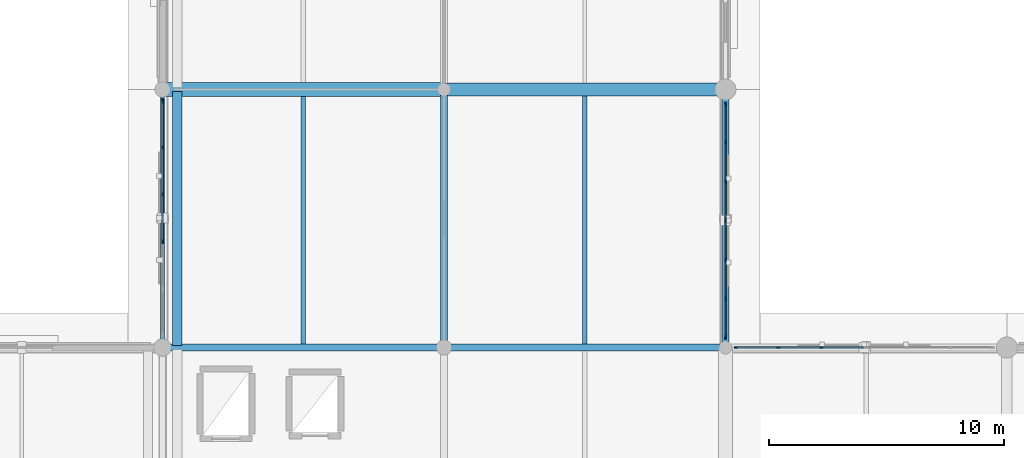
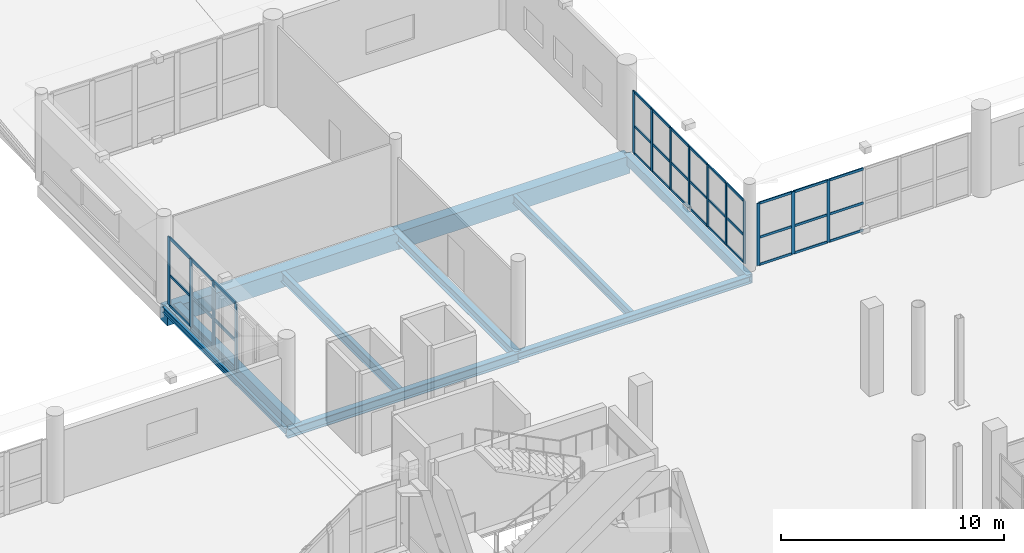
# One storey, part 44 of 143: 50 members, 10 beams, 3 elements without a shape of their own.
"""IFC4 building model written with IfcOpenShell, lengths in metres."""

from ifc_helpers import new_model, si_unit, direction, frame, origin, origin_2d, place, context, subcontext, project, spatial, rectangle, hollow_rectangle, i_section, extrude, material, material_profile, profile_set, type_object, element, aggregate, save


model = new_model("IFC4")

# Units and contexts
model_context = context("Model", 3, precision=1e-05, world=origin(), true_north=direction((0.0, 1.0)))
body_context = subcontext(model_context, "Body", "Model", "MODEL_VIEW")
ifc_project = project(units=[si_unit("LENGTHUNIT", "METRE"), si_unit("AREAUNIT", "SQUARE_METRE"), si_unit("VOLUMEUNIT", "CUBIC_METRE"), si_unit("PLANEANGLEUNIT", "RADIAN"), si_unit("MASSUNIT", "GRAM", prefix="KILO")], contexts=[model_context])

# Site, building, storey
site_placement = place(None, origin())
site = spatial("IfcSite", under=ifc_project, at=site_placement, CompositionType="ELEMENT")
building_placement = place(site_placement, origin())
building = spatial("IfcBuilding", under=site, at=building_placement, Name="Luwafu Chhajja Arena", CompositionType="ELEMENT")
storey_placement = place(building_placement, frame((0.0, 0.0, 5.39990234375)))
storey = spatial("IfcBuildingStorey", under=building, at=storey_placement, Name="L01", CompositionType="ELEMENT", Elevation=5.39990234375)

# Curtain wall, members
ifc_material_1 = material(Name="Anodised bronze aluminium", Category="aluminium")
curtain_wall_type_1 = type_object("IfcCurtainWallType", Name="Charbagh Cloister Curtain Wall", PredefinedType="USERDEFINED", material=ifc_material_1)
curtain_wall_1_placement = place(storey_placement, origin())
curtain_wall_1 = element("IfcCurtainWall", 1, at=curtain_wall_1_placement, inside=storey, type_object=curtain_wall_type_1, Name="L01 Curtain Wall CWG-L01-V05_09", ObjectType="CURTAIN WALL", PredefinedType="USERDEFINED")
ifc_material_profile_1 = material_profile(ifc_material_1, rectangle(XDim=0.06005859375, YDim=0.159912109375, at=origin_2d()), Name="CWM 60x160")
ifc_profile_set_1 = profile_set([ifc_material_profile_1], Name="Anodised bronze aluminium")
member_type_1 = type_object("IfcMemberType", Name="Bronze Curtain Wall Mullion 60x160", PredefinedType="MULLION", material=ifc_profile_set_1)
member_1_placement = place(storey_placement, frame((58.0, 99.445068359375, 0.030029296875), z_axis=(0.0, 0.0, 1.0), x_axis=(-1.0, 0.0, 0.0)))
member_1 = element("IfcMember", 2, at=member_1_placement, type_object=member_type_1, Name="CW-06 mullion 1", PredefinedType="MULLION", context=body_context, shape_type="SweptSolid", body=[
    extrude(rectangle(XDim=0.06005859375, YDim=0.159912109375, at=origin_2d()), origin(), (0.0, 0.0, 1.0), 3.41015625),
])
member_2_placement = place(storey_placement, frame((58.0, 101.080810546875, 0.030029296875), z_axis=(0.0, 0.0, 1.0), x_axis=(-1.0, 0.0, 0.0)))
member_2 = element("IfcMember", 3, at=member_2_placement, type_object=member_type_1, Name="CW-06 mullion 2", PredefinedType="MULLION", context=body_context, shape_type="SweptSolid", body=[
    extrude(rectangle(XDim=0.06005859375, YDim=0.159912109375, at=origin_2d()), origin(), (0.0, 0.0, 1.0), 3.41015625),
])
member_3_placement = place(storey_placement, frame((58.0, 102.74658203125, 0.030029296875), z_axis=(0.0, 0.0, 1.0), x_axis=(-1.0, 0.0, 0.0)))
member_3 = element("IfcMember", 4, at=member_3_placement, type_object=member_type_1, Name="CW-06 mullion 3", PredefinedType="MULLION", context=body_context, shape_type="SweptSolid", body=[
    extrude(rectangle(XDim=0.06005859375, YDim=0.159912109375, at=origin_2d()), origin(), (0.0, 0.0, 1.0), 3.41015625),
])
member_4_placement = place(storey_placement, frame((58.0, 104.41259765625, 0.030029296875), z_axis=(0.0, 0.0, 1.0), x_axis=(-1.0, 0.0, 0.0)))
member_4 = element("IfcMember", 5, at=member_4_placement, type_object=member_type_1, Name="CW-06 mullion 4", PredefinedType="MULLION", context=body_context, shape_type="SweptSolid", body=[
    extrude(rectangle(XDim=0.06005859375, YDim=0.159912109375, at=origin_2d()), origin(), (0.0, 0.0, 1.0), 3.41015625),
])
member_5_placement = place(storey_placement, frame((58.0, 106.078369140625, 0.030029296875), z_axis=(0.0, 0.0, 1.0), x_axis=(-1.0, 0.0, 0.0)))
member_5 = element("IfcMember", 6, at=member_5_placement, type_object=member_type_1, Name="CW-06 mullion 5", PredefinedType="MULLION", context=body_context, shape_type="SweptSolid", body=[
    extrude(rectangle(XDim=0.06005859375, YDim=0.159912109375, at=origin_2d()), origin(), (0.0, 0.0, 1.0), 3.41015625),
])
member_6_placement = place(storey_placement, frame((58.0, 107.744140625, 0.030029296875), z_axis=(0.0, 0.0, 1.0), x_axis=(-1.0, 0.0, 0.0)))
member_6 = element("IfcMember", 7, at=member_6_placement, type_object=member_type_1, Name="CW-06 mullion 6", PredefinedType="MULLION", context=body_context, shape_type="SweptSolid", body=[
    extrude(rectangle(XDim=0.06005859375, YDim=0.159912109375, at=origin_2d()), origin(), (0.0, 0.0, 1.0), 3.41015625),
])
member_7_placement = place(storey_placement, frame((58.0, 109.3798828125, 0.030029296875), z_axis=(0.0, 0.0, 1.0), x_axis=(-1.0, 0.0, 0.0)))
member_7 = element("IfcMember", 8, at=member_7_placement, type_object=member_type_1, Name="CW-06 mullion 7", PredefinedType="MULLION", context=body_context, shape_type="SweptSolid", body=[
    extrude(rectangle(XDim=0.06005859375, YDim=0.159912109375, at=origin_2d()), origin(), (0.0, 0.0, 1.0), 3.41015625),
])

curtain_wall_2_placement = place(storey_placement, origin())
curtain_wall_2 = element("IfcCurtainWall", 9, at=curtain_wall_2_placement, inside=storey, type_object=curtain_wall_type_1, Name="L01 Curtain Wall CWG-L01-H05_09", ObjectType="CURTAIN WALL", PredefinedType="USERDEFINED")
member_8_placement = place(storey_placement, frame((58.445068359375, 99.0, 0.030029296875), z_axis=(0.0, 0.0, 1.0), x_axis=(0.0, 1.0, 0.0)))
member_8 = element("IfcMember", 10, at=member_8_placement, type_object=member_type_1, Name="CW-06 mullion 1", PredefinedType="MULLION", context=body_context, shape_type="SweptSolid", body=[
    extrude(rectangle(XDim=0.06005859375, YDim=0.159912109375, at=origin_2d()), origin(), (0.0, 0.0, 1.0), 3.41015625),
])
member_9_placement = place(storey_placement, frame((60.24755859375, 99.0, 0.030029296875), z_axis=(0.0, 0.0, 1.0), x_axis=(0.0, 1.0, 0.0)))
member_9 = element("IfcMember", 11, at=member_9_placement, type_object=member_type_1, Name="CW-06 mullion 2", PredefinedType="MULLION", context=body_context, shape_type="SweptSolid", body=[
    extrude(rectangle(XDim=0.06005859375, YDim=0.159912109375, at=origin_2d()), origin(), (0.0, 0.0, 1.0), 3.41015625),
])
member_10_placement = place(storey_placement, frame((62.080078125, 99.0, 0.030029296875), z_axis=(0.0, 0.0, 1.0), x_axis=(0.0, 1.0, 0.0)))
member_10 = element("IfcMember", 12, at=member_10_placement, type_object=member_type_1, Name="CW-06 mullion 3", PredefinedType="MULLION", context=body_context, shape_type="SweptSolid", body=[
    extrude(rectangle(XDim=0.06005859375, YDim=0.159912109375, at=origin_2d()), origin(), (0.0, 0.0, 1.0), 3.41015625),
])

curtain_wall_type_2 = type_object("IfcCurtainWallType", Name="VIP Club Terrace Curtain Wall", PredefinedType="USERDEFINED", material=ifc_material_1)
curtain_wall_3_placement = place(storey_placement, origin())
curtain_wall_3 = element("IfcCurtainWall", 13, at=curtain_wall_3_placement, inside=storey, type_object=curtain_wall_type_2, Name="L01 Curtain Wall CWG-L01-V03_09", ObjectType="CURTAIN WALL", PredefinedType="USERDEFINED")
ifc_material_profile_2 = material_profile(ifc_material_1, rectangle(XDim=0.06494140625, YDim=0.199951171875, at=origin_2d()), Name="CWM 65x200")
ifc_profile_set_2 = profile_set([ifc_material_profile_2], Name="Anodised bronze aluminium")
member_type_2 = type_object("IfcMemberType", Name="Bronze Curtain Wall Mullion 65x200", PredefinedType="MULLION", material=ifc_profile_set_2)
member_11_placement = place(storey_placement, frame((34.0, 103.52294921875, 0.030029296875), z_axis=(0.0, 0.0, 1.0), x_axis=(-1.0, 0.0, 0.0)))
member_11 = element("IfcMember", 14, at=member_11_placement, type_object=member_type_2, Name="CW-10 mullion 3", PredefinedType="MULLION", context=body_context, shape_type="SweptSolid", body=[
    extrude(rectangle(XDim=0.06494140625, YDim=0.199951171875, at=origin_2d()), origin(), (0.0, 0.0, 1.0), 3.739990234375),
])
member_12_placement = place(storey_placement, frame((34.0, 105.527099609375, 0.030029296875), z_axis=(0.0, 0.0, 1.0), x_axis=(-1.0, 0.0, 0.0)))
member_12 = element("IfcMember", 15, at=member_12_placement, type_object=member_type_2, Name="CW-10 mullion 4", PredefinedType="MULLION", context=body_context, shape_type="SweptSolid", body=[
    extrude(rectangle(XDim=0.06494140625, YDim=0.199951171875, at=origin_2d()), origin(), (0.0, 0.0, 1.0), 3.739990234375),
])
member_13_placement = place(storey_placement, frame((34.0, 107.531005859375, 0.030029296875), z_axis=(0.0, 0.0, 1.0), x_axis=(-1.0, 0.0, 0.0)))
member_13 = element("IfcMember", 16, at=member_13_placement, type_object=member_type_2, Name="CW-10 mullion 5", PredefinedType="MULLION", context=body_context, shape_type="SweptSolid", body=[
    extrude(rectangle(XDim=0.06494140625, YDim=0.199951171875, at=origin_2d()), origin(), (0.0, 0.0, 1.0), 3.739990234375),
])
member_14_placement = place(storey_placement, frame((34.0, 109.50244140625, 0.030029296875), z_axis=(0.0, 0.0, 1.0), x_axis=(-1.0, 0.0, 0.0)))
member_14 = element("IfcMember", 17, at=member_14_placement, type_object=member_type_2, Name="CW-10 mullion 6", PredefinedType="MULLION", context=body_context, shape_type="SweptSolid", body=[
    extrude(rectangle(XDim=0.06494140625, YDim=0.199951171875, at=origin_2d()), origin(), (0.0, 0.0, 1.0), 3.739990234375),
])

# Member
ifc_material_profile_3 = material_profile(ifc_material_1, rectangle(XDim=0.06005859375, YDim=0.1298828125, at=origin_2d()), Name="CWT 60x130")
ifc_profile_set_3 = profile_set([ifc_material_profile_3], Name="Anodised bronze aluminium")
member_type_3 = type_object("IfcMemberType", Name="Bronze Curtain Wall Transom 60x130", PredefinedType="USERDEFINED", material=ifc_profile_set_3)
member_15_placement = place(storey_placement, frame((58.0, 99.47509765625, 0.06005859375), z_axis=(0.0, 1.0, 0.0), x_axis=(-1.0, 0.0, 0.0)))
member_15 = element("IfcMember", 18, at=member_15_placement, type_object=member_type_3, Name="CW-06 transom 1.1", ObjectType="TRANSOM", PredefinedType="USERDEFINED", context=body_context, shape_type="SweptSolid", body=[
    extrude(rectangle(XDim=0.06005859375, YDim=0.1298828125, at=origin_2d()), origin(), (0.0, 0.0, 1.0), 1.57568359375),
])

member_16_placement = place(storey_placement, frame((58.0, 99.47509765625, 1.548095703125), z_axis=(0.0, 1.0, 0.0), x_axis=(-1.0, 0.0, 0.0)))
member_16 = element("IfcMember", 19, at=member_16_placement, type_object=member_type_3, Name="CW-06 transom 1.2", ObjectType="TRANSOM", PredefinedType="USERDEFINED", context=body_context, shape_type="SweptSolid", body=[
    extrude(rectangle(XDim=0.06005859375, YDim=0.1298828125, at=origin_2d()), origin(), (0.0, 0.0, 1.0), 1.57568359375),
])

member_17_placement = place(storey_placement, frame((58.0, 99.47509765625, 3.41015625), z_axis=(0.0, 1.0, 0.0), x_axis=(-1.0, 0.0, 0.0)))
member_17 = element("IfcMember", 20, at=member_17_placement, type_object=member_type_3, Name="CW-06 transom 1.3", ObjectType="TRANSOM", PredefinedType="USERDEFINED", context=body_context, shape_type="SweptSolid", body=[
    extrude(rectangle(XDim=0.06005859375, YDim=0.1298828125, at=origin_2d()), origin(), (0.0, 0.0, 1.0), 1.57568359375),
])

member_18_placement = place(storey_placement, frame((58.0, 101.11083984375, 0.06005859375), z_axis=(0.0, 1.0, 0.0), x_axis=(-1.0, 0.0, 0.0)))
member_18 = element("IfcMember", 21, at=member_18_placement, type_object=member_type_3, Name="CW-06 transom 2.1", ObjectType="TRANSOM", PredefinedType="USERDEFINED", context=body_context, shape_type="SweptSolid", body=[
    extrude(rectangle(XDim=0.06005859375, YDim=0.1298828125, at=origin_2d()), origin(), (0.0, 0.0, 1.0), 1.605712890625),
])

member_19_placement = place(storey_placement, frame((58.0, 101.11083984375, 1.548095703125), z_axis=(0.0, 1.0, 0.0), x_axis=(-1.0, 0.0, 0.0)))
member_19 = element("IfcMember", 22, at=member_19_placement, type_object=member_type_3, Name="CW-06 transom 2.2", ObjectType="TRANSOM", PredefinedType="USERDEFINED", context=body_context, shape_type="SweptSolid", body=[
    extrude(rectangle(XDim=0.06005859375, YDim=0.1298828125, at=origin_2d()), origin(), (0.0, 0.0, 1.0), 1.605712890625),
])

member_20_placement = place(storey_placement, frame((58.0, 101.11083984375, 3.41015625), z_axis=(0.0, 1.0, 0.0), x_axis=(-1.0, 0.0, 0.0)))
member_20 = element("IfcMember", 23, at=member_20_placement, type_object=member_type_3, Name="CW-06 transom 2.3", ObjectType="TRANSOM", PredefinedType="USERDEFINED", context=body_context, shape_type="SweptSolid", body=[
    extrude(rectangle(XDim=0.06005859375, YDim=0.1298828125, at=origin_2d()), origin(), (0.0, 0.0, 1.0), 1.605712890625),
])

member_21_placement = place(storey_placement, frame((58.0, 102.776611328125, 0.06005859375), z_axis=(0.0, 1.0, 0.0), x_axis=(-1.0, 0.0, 0.0)))
member_21 = element("IfcMember", 24, at=member_21_placement, type_object=member_type_3, Name="CW-06 transom 3.1", ObjectType="TRANSOM", PredefinedType="USERDEFINED", context=body_context, shape_type="SweptSolid", body=[
    extrude(rectangle(XDim=0.06005859375, YDim=0.1298828125, at=origin_2d()), origin(), (0.0, 0.0, 1.0), 1.60595703125),
])

member_22_placement = place(storey_placement, frame((58.0, 102.776611328125, 1.548095703125), z_axis=(0.0, 1.0, 0.0), x_axis=(-1.0, 0.0, 0.0)))
member_22 = element("IfcMember", 25, at=member_22_placement, type_object=member_type_3, Name="CW-06 transom 3.2", ObjectType="TRANSOM", PredefinedType="USERDEFINED", context=body_context, shape_type="SweptSolid", body=[
    extrude(rectangle(XDim=0.06005859375, YDim=0.1298828125, at=origin_2d()), origin(), (0.0, 0.0, 1.0), 1.60595703125),
])

member_23_placement = place(storey_placement, frame((58.0, 102.776611328125, 3.41015625), z_axis=(0.0, 1.0, 0.0), x_axis=(-1.0, 0.0, 0.0)))
member_23 = element("IfcMember", 26, at=member_23_placement, type_object=member_type_3, Name="CW-06 transom 3.3", ObjectType="TRANSOM", PredefinedType="USERDEFINED", context=body_context, shape_type="SweptSolid", body=[
    extrude(rectangle(XDim=0.06005859375, YDim=0.1298828125, at=origin_2d()), origin(), (0.0, 0.0, 1.0), 1.60595703125),
])

member_24_placement = place(storey_placement, frame((58.0, 104.4423828125, 0.06005859375), z_axis=(0.0, 1.0, 0.0), x_axis=(-1.0, 0.0, 0.0)))
member_24 = element("IfcMember", 27, at=member_24_placement, type_object=member_type_3, Name="CW-06 transom 4.1", ObjectType="TRANSOM", PredefinedType="USERDEFINED", context=body_context, shape_type="SweptSolid", body=[
    extrude(rectangle(XDim=0.06005859375, YDim=0.1298828125, at=origin_2d()), origin(), (0.0, 0.0, 1.0), 1.60595703125),
])

member_25_placement = place(storey_placement, frame((58.0, 104.4423828125, 1.548095703125), z_axis=(0.0, 1.0, 0.0), x_axis=(-1.0, 0.0, 0.0)))
member_25 = element("IfcMember", 28, at=member_25_placement, type_object=member_type_3, Name="CW-06 transom 4.2", ObjectType="TRANSOM", PredefinedType="USERDEFINED", context=body_context, shape_type="SweptSolid", body=[
    extrude(rectangle(XDim=0.06005859375, YDim=0.1298828125, at=origin_2d()), origin(), (0.0, 0.0, 1.0), 1.60595703125),
])

member_26_placement = place(storey_placement, frame((58.0, 104.4423828125, 3.41015625), z_axis=(0.0, 1.0, 0.0), x_axis=(-1.0, 0.0, 0.0)))
member_26 = element("IfcMember", 29, at=member_26_placement, type_object=member_type_3, Name="CW-06 transom 4.3", ObjectType="TRANSOM", PredefinedType="USERDEFINED", context=body_context, shape_type="SweptSolid", body=[
    extrude(rectangle(XDim=0.06005859375, YDim=0.1298828125, at=origin_2d()), origin(), (0.0, 0.0, 1.0), 1.60595703125),
])

member_27_placement = place(storey_placement, frame((58.0, 106.1083984375, 0.06005859375), z_axis=(0.0, 1.0, 0.0), x_axis=(-1.0, 0.0, 0.0)))
member_27 = element("IfcMember", 30, at=member_27_placement, type_object=member_type_3, Name="CW-06 transom 5.1", ObjectType="TRANSOM", PredefinedType="USERDEFINED", context=body_context, shape_type="SweptSolid", body=[
    extrude(rectangle(XDim=0.06005859375, YDim=0.1298828125, at=origin_2d()), origin(), (0.0, 0.0, 1.0), 1.605712890625),
])

member_28_placement = place(storey_placement, frame((58.0, 106.1083984375, 1.548095703125), z_axis=(0.0, 1.0, 0.0), x_axis=(-1.0, 0.0, 0.0)))
member_28 = element("IfcMember", 31, at=member_28_placement, type_object=member_type_3, Name="CW-06 transom 5.2", ObjectType="TRANSOM", PredefinedType="USERDEFINED", context=body_context, shape_type="SweptSolid", body=[
    extrude(rectangle(XDim=0.06005859375, YDim=0.1298828125, at=origin_2d()), origin(), (0.0, 0.0, 1.0), 1.605712890625),
])

member_29_placement = place(storey_placement, frame((58.0, 106.1083984375, 3.41015625), z_axis=(0.0, 1.0, 0.0), x_axis=(-1.0, 0.0, 0.0)))
member_29 = element("IfcMember", 32, at=member_29_placement, type_object=member_type_3, Name="CW-06 transom 5.3", ObjectType="TRANSOM", PredefinedType="USERDEFINED", context=body_context, shape_type="SweptSolid", body=[
    extrude(rectangle(XDim=0.06005859375, YDim=0.1298828125, at=origin_2d()), origin(), (0.0, 0.0, 1.0), 1.605712890625),
])

member_30_placement = place(storey_placement, frame((58.0, 107.774169921875, 0.06005859375), z_axis=(0.0, 1.0, 0.0), x_axis=(-1.0, 0.0, 0.0)))
member_30 = element("IfcMember", 33, at=member_30_placement, type_object=member_type_3, Name="CW-06 transom 6.1", ObjectType="TRANSOM", PredefinedType="USERDEFINED", context=body_context, shape_type="SweptSolid", body=[
    extrude(rectangle(XDim=0.06005859375, YDim=0.1298828125, at=origin_2d()), origin(), (0.0, 0.0, 1.0), 1.575927734375),
])

member_31_placement = place(storey_placement, frame((58.0, 107.774169921875, 1.548095703125), z_axis=(0.0, 1.0, 0.0), x_axis=(-1.0, 0.0, 0.0)))
member_31 = element("IfcMember", 34, at=member_31_placement, type_object=member_type_3, Name="CW-06 transom 6.2", ObjectType="TRANSOM", PredefinedType="USERDEFINED", context=body_context, shape_type="SweptSolid", body=[
    extrude(rectangle(XDim=0.06005859375, YDim=0.1298828125, at=origin_2d()), origin(), (0.0, 0.0, 1.0), 1.575927734375),
])

member_32_placement = place(storey_placement, frame((58.0, 107.774169921875, 3.41015625), z_axis=(0.0, 1.0, 0.0), x_axis=(-1.0, 0.0, 0.0)))
member_32 = element("IfcMember", 35, at=member_32_placement, type_object=member_type_3, Name="CW-06 transom 6.3", ObjectType="TRANSOM", PredefinedType="USERDEFINED", context=body_context, shape_type="SweptSolid", body=[
    extrude(rectangle(XDim=0.06005859375, YDim=0.1298828125, at=origin_2d()), origin(), (0.0, 0.0, 1.0), 1.575927734375),
])

aggregate(curtain_wall_1, [member_1, member_2, member_3, member_4, member_5, member_6, member_7, member_15, member_16, member_17, member_18, member_19, member_20, member_21, member_22, member_23, member_24, member_25, member_26, member_27, member_28, member_29, member_30, member_31, member_32])

member_33_placement = place(storey_placement, frame((58.47509765625, 99.0, 0.06005859375), z_axis=(1.0, 0.0, 0.0), x_axis=(0.0, 1.0, 0.0)))
member_33 = element("IfcMember", 36, at=member_33_placement, type_object=member_type_3, Name="CW-06 transom 1.1", ObjectType="TRANSOM", PredefinedType="USERDEFINED", context=body_context, shape_type="SweptSolid", body=[
    extrude(rectangle(XDim=0.06005859375, YDim=0.1298828125, at=origin_2d()), origin(), (0.0, 0.0, 1.0), 1.742431640625),
])

member_34_placement = place(storey_placement, frame((58.47509765625, 99.0, 1.548095703125), z_axis=(1.0, 0.0, 0.0), x_axis=(0.0, 1.0, 0.0)))
member_34 = element("IfcMember", 37, at=member_34_placement, type_object=member_type_3, Name="CW-06 transom 1.2", ObjectType="TRANSOM", PredefinedType="USERDEFINED", context=body_context, shape_type="SweptSolid", body=[
    extrude(rectangle(XDim=0.06005859375, YDim=0.1298828125, at=origin_2d()), origin(), (0.0, 0.0, 1.0), 1.742431640625),
])

member_35_placement = place(storey_placement, frame((58.47509765625, 99.0, 3.41015625), z_axis=(1.0, 0.0, 0.0), x_axis=(0.0, 1.0, 0.0)))
member_35 = element("IfcMember", 38, at=member_35_placement, type_object=member_type_3, Name="CW-06 transom 1.3", ObjectType="TRANSOM", PredefinedType="USERDEFINED", context=body_context, shape_type="SweptSolid", body=[
    extrude(rectangle(XDim=0.06005859375, YDim=0.1298828125, at=origin_2d()), origin(), (0.0, 0.0, 1.0), 1.742431640625),
])

member_36_placement = place(storey_placement, frame((60.277587890625, 99.0, 0.06005859375), z_axis=(1.0, 0.0, 0.0), x_axis=(0.0, 1.0, 0.0)))
member_36 = element("IfcMember", 39, at=member_36_placement, type_object=member_type_3, Name="CW-06 transom 2.1", ObjectType="TRANSOM", PredefinedType="USERDEFINED", context=body_context, shape_type="SweptSolid", body=[
    extrude(rectangle(XDim=0.06005859375, YDim=0.1298828125, at=origin_2d()), origin(), (0.0, 0.0, 1.0), 1.7724609375),
])

member_37_placement = place(storey_placement, frame((60.277587890625, 99.0, 1.548095703125), z_axis=(1.0, 0.0, 0.0), x_axis=(0.0, 1.0, 0.0)))
member_37 = element("IfcMember", 40, at=member_37_placement, type_object=member_type_3, Name="CW-06 transom 2.2", ObjectType="TRANSOM", PredefinedType="USERDEFINED", context=body_context, shape_type="SweptSolid", body=[
    extrude(rectangle(XDim=0.06005859375, YDim=0.1298828125, at=origin_2d()), origin(), (0.0, 0.0, 1.0), 1.7724609375),
])

member_38_placement = place(storey_placement, frame((60.277587890625, 99.0, 3.41015625), z_axis=(1.0, 0.0, 0.0), x_axis=(0.0, 1.0, 0.0)))
member_38 = element("IfcMember", 41, at=member_38_placement, type_object=member_type_3, Name="CW-06 transom 2.3", ObjectType="TRANSOM", PredefinedType="USERDEFINED", context=body_context, shape_type="SweptSolid", body=[
    extrude(rectangle(XDim=0.06005859375, YDim=0.1298828125, at=origin_2d()), origin(), (0.0, 0.0, 1.0), 1.7724609375),
])

member_39_placement = place(storey_placement, frame((62.110107421875, 99.0, 0.06005859375), z_axis=(1.0, 0.0, 0.0), x_axis=(0.0, 1.0, 0.0)))
member_39 = element("IfcMember", 42, at=member_39_placement, type_object=member_type_3, Name="CW-06 transom 3.1", ObjectType="TRANSOM", PredefinedType="USERDEFINED", context=body_context, shape_type="SweptSolid", body=[
    extrude(rectangle(XDim=0.06005859375, YDim=0.1298828125, at=origin_2d()), origin(), (0.0, 0.0, 1.0), 1.7724609375),
])

member_40_placement = place(storey_placement, frame((62.110107421875, 99.0, 1.548095703125), z_axis=(1.0, 0.0, 0.0), x_axis=(0.0, 1.0, 0.0)))
member_40 = element("IfcMember", 43, at=member_40_placement, type_object=member_type_3, Name="CW-06 transom 3.2", ObjectType="TRANSOM", PredefinedType="USERDEFINED", context=body_context, shape_type="SweptSolid", body=[
    extrude(rectangle(XDim=0.06005859375, YDim=0.1298828125, at=origin_2d()), origin(), (0.0, 0.0, 1.0), 1.7724609375),
])

member_41_placement = place(storey_placement, frame((62.110107421875, 99.0, 3.41015625), z_axis=(1.0, 0.0, 0.0), x_axis=(0.0, 1.0, 0.0)))
member_41 = element("IfcMember", 44, at=member_41_placement, type_object=member_type_3, Name="CW-06 transom 3.3", ObjectType="TRANSOM", PredefinedType="USERDEFINED", context=body_context, shape_type="SweptSolid", body=[
    extrude(rectangle(XDim=0.06005859375, YDim=0.1298828125, at=origin_2d()), origin(), (0.0, 0.0, 1.0), 1.7724609375),
])

aggregate(curtain_wall_2, [member_8, member_9, member_10, member_33, member_34, member_35, member_36, member_37, member_38, member_39, member_40, member_41])

ifc_material_profile_4 = material_profile(ifc_material_1, rectangle(XDim=0.06494140625, YDim=0.14990234375, at=origin_2d()), Name="CWT 65x150")
ifc_profile_set_4 = profile_set([ifc_material_profile_4], Name="Anodised bronze aluminium")
member_type_4 = type_object("IfcMemberType", Name="Bronze Curtain Wall Transom 65x150", PredefinedType="USERDEFINED", material=ifc_profile_set_4)
member_42_placement = place(storey_placement, frame((34.0, 103.555419921875, 0.0625), z_axis=(0.0, 1.0, 0.0), x_axis=(-1.0, 0.0, 0.0)))
member_42 = element("IfcMember", 45, at=member_42_placement, type_object=member_type_4, Name="CW-10 transom 3.1", ObjectType="TRANSOM", PredefinedType="USERDEFINED", context=body_context, shape_type="SweptSolid", body=[
    extrude(rectangle(XDim=0.06494140625, YDim=0.14990234375, at=origin_2d()), origin(), (0.0, 0.0, 1.0), 1.93896484375),
])

member_43_placement = place(storey_placement, frame((34.0, 103.555419921875, 1.696533203125), z_axis=(0.0, 1.0, 0.0), x_axis=(-1.0, 0.0, 0.0)))
member_43 = element("IfcMember", 46, at=member_43_placement, type_object=member_type_4, Name="CW-10 transom 3.2", ObjectType="TRANSOM", PredefinedType="USERDEFINED", context=body_context, shape_type="SweptSolid", body=[
    extrude(rectangle(XDim=0.06494140625, YDim=0.14990234375, at=origin_2d()), origin(), (0.0, 0.0, 1.0), 1.93896484375),
])

member_44_placement = place(storey_placement, frame((34.0, 103.555419921875, 3.7373046875), z_axis=(0.0, 1.0, 0.0), x_axis=(-1.0, 0.0, 0.0)))
member_44 = element("IfcMember", 47, at=member_44_placement, type_object=member_type_4, Name="CW-10 transom 3.3", ObjectType="TRANSOM", PredefinedType="USERDEFINED", context=body_context, shape_type="SweptSolid", body=[
    extrude(rectangle(XDim=0.06494140625, YDim=0.14990234375, at=origin_2d()), origin(), (0.0, 0.0, 1.0), 1.93896484375),
])

member_45_placement = place(storey_placement, frame((34.0, 105.5595703125, 0.0625), z_axis=(0.0, 1.0, 0.0), x_axis=(-1.0, 0.0, 0.0)))
member_45 = element("IfcMember", 48, at=member_45_placement, type_object=member_type_4, Name="CW-10 transom 4.1", ObjectType="TRANSOM", PredefinedType="USERDEFINED", context=body_context, shape_type="SweptSolid", body=[
    extrude(rectangle(XDim=0.06494140625, YDim=0.14990234375, at=origin_2d()), origin(), (0.0, 0.0, 1.0), 1.93896484375),
])

member_46_placement = place(storey_placement, frame((34.0, 105.5595703125, 1.696533203125), z_axis=(0.0, 1.0, 0.0), x_axis=(-1.0, 0.0, 0.0)))
member_46 = element("IfcMember", 49, at=member_46_placement, type_object=member_type_4, Name="CW-10 transom 4.2", ObjectType="TRANSOM", PredefinedType="USERDEFINED", context=body_context, shape_type="SweptSolid", body=[
    extrude(rectangle(XDim=0.06494140625, YDim=0.14990234375, at=origin_2d()), origin(), (0.0, 0.0, 1.0), 1.93896484375),
])

member_47_placement = place(storey_placement, frame((34.0, 105.5595703125, 3.7373046875), z_axis=(0.0, 1.0, 0.0), x_axis=(-1.0, 0.0, 0.0)))
member_47 = element("IfcMember", 50, at=member_47_placement, type_object=member_type_4, Name="CW-10 transom 4.3", ObjectType="TRANSOM", PredefinedType="USERDEFINED", context=body_context, shape_type="SweptSolid", body=[
    extrude(rectangle(XDim=0.06494140625, YDim=0.14990234375, at=origin_2d()), origin(), (0.0, 0.0, 1.0), 1.93896484375),
])

member_48_placement = place(storey_placement, frame((34.0, 107.5634765625, 0.0625), z_axis=(0.0, 1.0, 0.0), x_axis=(-1.0, 0.0, 0.0)))
member_48 = element("IfcMember", 51, at=member_48_placement, type_object=member_type_4, Name="CW-10 transom 5.1", ObjectType="TRANSOM", PredefinedType="USERDEFINED", context=body_context, shape_type="SweptSolid", body=[
    extrude(rectangle(XDim=0.06494140625, YDim=0.14990234375, at=origin_2d()), origin(), (0.0, 0.0, 1.0), 1.906494140625),
])

member_49_placement = place(storey_placement, frame((34.0, 107.5634765625, 1.696533203125), z_axis=(0.0, 1.0, 0.0), x_axis=(-1.0, 0.0, 0.0)))
member_49 = element("IfcMember", 52, at=member_49_placement, type_object=member_type_4, Name="CW-10 transom 5.2", ObjectType="TRANSOM", PredefinedType="USERDEFINED", context=body_context, shape_type="SweptSolid", body=[
    extrude(rectangle(XDim=0.06494140625, YDim=0.14990234375, at=origin_2d()), origin(), (0.0, 0.0, 1.0), 1.906494140625),
])

member_50_placement = place(storey_placement, frame((34.0, 107.5634765625, 3.7373046875), z_axis=(0.0, 1.0, 0.0), x_axis=(-1.0, 0.0, 0.0)))
member_50 = element("IfcMember", 53, at=member_50_placement, type_object=member_type_4, Name="CW-10 transom 5.3", ObjectType="TRANSOM", PredefinedType="USERDEFINED", context=body_context, shape_type="SweptSolid", body=[
    extrude(rectangle(XDim=0.06494140625, YDim=0.14990234375, at=origin_2d()), origin(), (0.0, 0.0, 1.0), 1.906494140625),
])

aggregate(curtain_wall_3, [member_11, member_12, member_13, member_14, member_42, member_43, member_44, member_45, member_46, member_47, member_48, member_49, member_50])

# Beams
ifc_material_2 = material(Name="Steel S355", Category="steel")
ifc_material_profile_5 = material_profile(ifc_material_2, i_section(OverallWidth=0.165771484375, OverallDepth=0.306640625, WebThickness=0.006591796875, FlangeThickness=0.01171875, at=origin_2d()), Name="UB 305x165x46")
ifc_profile_set_5 = profile_set([ifc_material_profile_5], Name="Steel S355")
beam_type_1 = type_object("IfcBeamType", Name="Concourse Edge Spandrel Beam UB 305x165x46", PredefinedType="SPANDREL", material=ifc_profile_set_5)
beam_1_placement = place(storey_placement, frame((34.0, 99.0, -0.483154296875), z_axis=(0.0, 1.0, 0.0), x_axis=(-1.0, 0.0, 0.0)))
element("IfcBeam", 54, at=beam_1_placement, inside=storey, type_object=beam_type_1, Name="L01 Grid Beam 4/K-L", PredefinedType="SPANDREL", context=body_context, shape_type="SweptSolid", body=[
    extrude(i_section(OverallWidth=0.165771484375, OverallDepth=0.306640625, WebThickness=0.006591796875, FlangeThickness=0.01171875, at=origin_2d()), origin(), (0.0, 0.0, 1.0), 11.0),
])
ifc_material_3 = material(Name="Concrete C35/45", Category="concrete")
ifc_material_profile_6 = material_profile(ifc_material_3, rectangle(XDim=0.60009765625, YDim=0.89990234375, at=origin_2d()), Name="RC 600x900")
ifc_profile_set_6 = profile_set([ifc_material_profile_6], Name="Concrete C35/45")
beam_type_2 = type_object("IfcBeamType", Name="Concourse Primary Girder RC 600x900", PredefinedType="BEAM", material=ifc_profile_set_6)
beam_2_placement = place(storey_placement, frame((34.0, 110.0, -0.77978515625), z_axis=(1.0, 0.0, 0.0), x_axis=(0.0, 1.0, 0.0)))
element("IfcBeam", 55, at=beam_2_placement, inside=storey, type_object=beam_type_2, Name="L01 Grid Beam 4-5/L", PredefinedType="BEAM", context=body_context, shape_type="SweptSolid", body=[
    extrude(rectangle(XDim=0.60009765625, YDim=0.89990234375, at=origin_2d()), origin(), (0.0, 0.0, 1.0), 12.0),
])
ifc_material_profile_7 = material_profile(ifc_material_3, rectangle(XDim=0.550048828125, YDim=0.949951171875, at=origin_2d()), Name="RC 550x950")
ifc_profile_set_7 = profile_set([ifc_material_profile_7], Name="Concrete C35/45")
beam_type_3 = type_object("IfcBeamType", Name="Concourse Radial Girder RC 550x950", PredefinedType="BEAM", material=ifc_profile_set_7)
beam_3_placement = place(storey_placement, frame((46.0, 110.0, -0.804931640625), z_axis=(1.0, 0.0, 0.0), x_axis=(0.0, 1.0, 0.0)))
element("IfcBeam", 56, at=beam_3_placement, inside=storey, type_object=beam_type_3, Name="L01 Grid Beam 5-6/L", PredefinedType="BEAM", context=body_context, shape_type="SweptSolid", body=[
    extrude(rectangle(XDim=0.550048828125, YDim=0.949951171875, at=origin_2d()), origin(), (0.0, 0.0, 1.0), 12.0),
])
ifc_material_profile_8 = material_profile(ifc_material_2, i_section(OverallWidth=0.19140625, OverallDepth=0.4599609375, WebThickness=0.010009765625, FlangeThickness=0.01611328125, at=origin_2d()), Name="UB 457x191x82")
ifc_profile_set_8 = profile_set([ifc_material_profile_8], Name="Steel S355")
beam_type_4 = type_object("IfcBeamType", Name="Floor Joist UB 457x191x82", PredefinedType="JOIST", material=ifc_profile_set_8)
beam_4_placement = place(storey_placement, frame((52.0, 99.14990234375, -0.559814453125), z_axis=(0.0, 1.0, 0.0), x_axis=(-1.0, 0.0, 0.0)))
element("IfcBeam", 57, at=beam_4_placement, inside=storey, type_object=beam_type_4, Name="L01 Secondary Joist 5-6/K", PredefinedType="JOIST", context=body_context, shape_type="SweptSolid", body=[
    extrude(i_section(OverallWidth=0.19140625, OverallDepth=0.4599609375, WebThickness=0.010009765625, FlangeThickness=0.01611328125, at=origin_2d()), origin(), (0.0, 0.0, 1.0), 10.5751953125),
])
ifc_material_profile_9 = material_profile(ifc_material_2, i_section(OverallWidth=0.209228515625, OverallDepth=0.533203125, WebThickness=0.010009765625, FlangeThickness=0.015625, at=origin_2d()), Name="UB 533x210x92")
ifc_profile_set_9 = profile_set([ifc_material_profile_9], Name="Steel S355")
beam_type_5 = type_object("IfcBeamType", Name="Floor Joist UB 533x210x92", PredefinedType="JOIST", material=ifc_profile_set_9)
beam_5_placement = place(storey_placement, frame((40.0, 99.14990234375, -0.596435546875), z_axis=(0.0, 1.0, 0.0), x_axis=(-1.0, 0.0, 0.0)))
element("IfcBeam", 58, at=beam_5_placement, inside=storey, type_object=beam_type_5, Name="L01 Secondary Joist 4-5/K", PredefinedType="JOIST", context=body_context, shape_type="SweptSolid", body=[
    extrude(i_section(OverallWidth=0.209228515625, OverallDepth=0.533203125, WebThickness=0.010009765625, FlangeThickness=0.015625, at=origin_2d()), origin(), (0.0, 0.0, 1.0), 10.550048828125),
])
ifc_material_profile_10 = material_profile(ifc_material_2, hollow_rectangle(XDim=0.300048828125, YDim=0.5, WallThickness=0.02001953125, at=origin_2d()), Name="RHS 500x300x20")
ifc_profile_set_10 = profile_set([ifc_material_profile_10], Name="Steel S355")
beam_type_6 = type_object("IfcBeamType", Name="Pleated Drum Spandrel Beam RHS 500x300", PredefinedType="SPANDREL", material=ifc_profile_set_10)
beam_6_placement = place(storey_placement, frame((58.0, 99.0, -0.579833984375), z_axis=(0.0, 1.0, 0.0), x_axis=(-1.0, 0.0, 0.0)))
element("IfcBeam", 59, at=beam_6_placement, inside=storey, type_object=beam_type_6, Name="L01 Grid Beam 6/K-L", PredefinedType="SPANDREL", context=body_context, shape_type="SweptSolid", body=[
    extrude(hollow_rectangle(XDim=0.300048828125, YDim=0.5, WallThickness=0.02001953125, at=origin_2d()), origin(), (0.0, 0.0, 1.0), 11.0),
])
ifc_material_profile_11 = material_profile(ifc_material_3, rectangle(XDim=0.39990234375, YDim=0.60009765625, at=origin_2d()), Name="RC 400x600")
ifc_profile_set_11 = profile_set([ifc_material_profile_11], Name="Concrete C35/45")
beam_type_7 = type_object("IfcBeamType", Name="Podium Perimeter Spandrel RC 400x600", PredefinedType="SPANDREL", material=ifc_profile_set_11)
beam_7_placement = place(storey_placement, frame((34.6201171875, 99.080078125, -0.6298828125), z_axis=(0.0, 1.0, 0.0), x_axis=(-1.0, 0.0, 0.0)))
element("IfcBeam", 60, at=beam_7_placement, inside=storey, type_object=beam_type_7, Name="L01 Movement Joint MJ1E Seat Girder 09", PredefinedType="SPANDREL", context=body_context, shape_type="SweptSolid", body=[
    extrude(rectangle(XDim=0.39990234375, YDim=0.60009765625, at=origin_2d()), origin(), (0.0, 0.0, 1.0), 10.83984375),
])
ifc_material_profile_12 = material_profile(ifc_material_2, i_section(OverallWidth=0.300048828125, OverallDepth=0.5, WebThickness=0.014404296875, FlangeThickness=0.028076171875, at=origin_2d()), Name="HEB 500")
ifc_profile_set_12 = profile_set([ifc_material_profile_12], Name="Steel S355")
beam_type_8 = type_object("IfcBeamType", Name="Steel Atrium Tie Girder HEB 500", PredefinedType="BEAM", material=ifc_profile_set_12)
beam_8_placement = place(storey_placement, frame((34.0, 99.0, -0.579833984375), z_axis=(1.0, 0.0, 0.0), x_axis=(0.0, 1.0, 0.0)))
element("IfcBeam", 61, at=beam_8_placement, inside=storey, type_object=beam_type_8, Name="L01 Grid Beam 4-5/K", PredefinedType="BEAM", context=body_context, shape_type="SweptSolid", body=[
    extrude(i_section(OverallWidth=0.300048828125, OverallDepth=0.5, WebThickness=0.014404296875, FlangeThickness=0.028076171875, at=origin_2d()), origin(), (0.0, 0.0, 1.0), 12.0),
])
beam_9_placement = place(storey_placement, frame((46.0, 99.0, -0.579833984375), z_axis=(0.0, 1.0, 0.0), x_axis=(-1.0, 0.0, 0.0)))
element("IfcBeam", 62, at=beam_9_placement, inside=storey, type_object=beam_type_8, Name="L01 Grid Beam 5/K-L", PredefinedType="BEAM", context=body_context, shape_type="SweptSolid", body=[
    extrude(i_section(OverallWidth=0.300048828125, OverallDepth=0.5, WebThickness=0.014404296875, FlangeThickness=0.028076171875, at=origin_2d()), origin(), (0.0, 0.0, 1.0), 11.0),
])
ifc_material_profile_13 = material_profile(ifc_material_2, i_section(OverallWidth=0.300048828125, OverallDepth=0.39990234375, WebThickness=0.013427734375, FlangeThickness=0.02392578125, at=origin_2d()), Name="HEB 400")
ifc_profile_set_13 = profile_set([ifc_material_profile_13], Name="Steel S355")
beam_type_9 = type_object("IfcBeamType", Name="Steel Rigging Grid Beam HEB 400", PredefinedType="BEAM", material=ifc_profile_set_13)
beam_10_placement = place(storey_placement, frame((46.0, 99.0, -0.52978515625), z_axis=(1.0, 0.0, 0.0), x_axis=(0.0, 1.0, 0.0)))
element("IfcBeam", 63, at=beam_10_placement, inside=storey, type_object=beam_type_9, Name="L01 Grid Beam 5-6/K", PredefinedType="BEAM", context=body_context, shape_type="SweptSolid", body=[
    extrude(i_section(OverallWidth=0.300048828125, OverallDepth=0.39990234375, WebThickness=0.013427734375, FlangeThickness=0.02392578125, at=origin_2d()), origin(), (0.0, 0.0, 1.0), 12.0),
])

save(model, "model.ifc")
